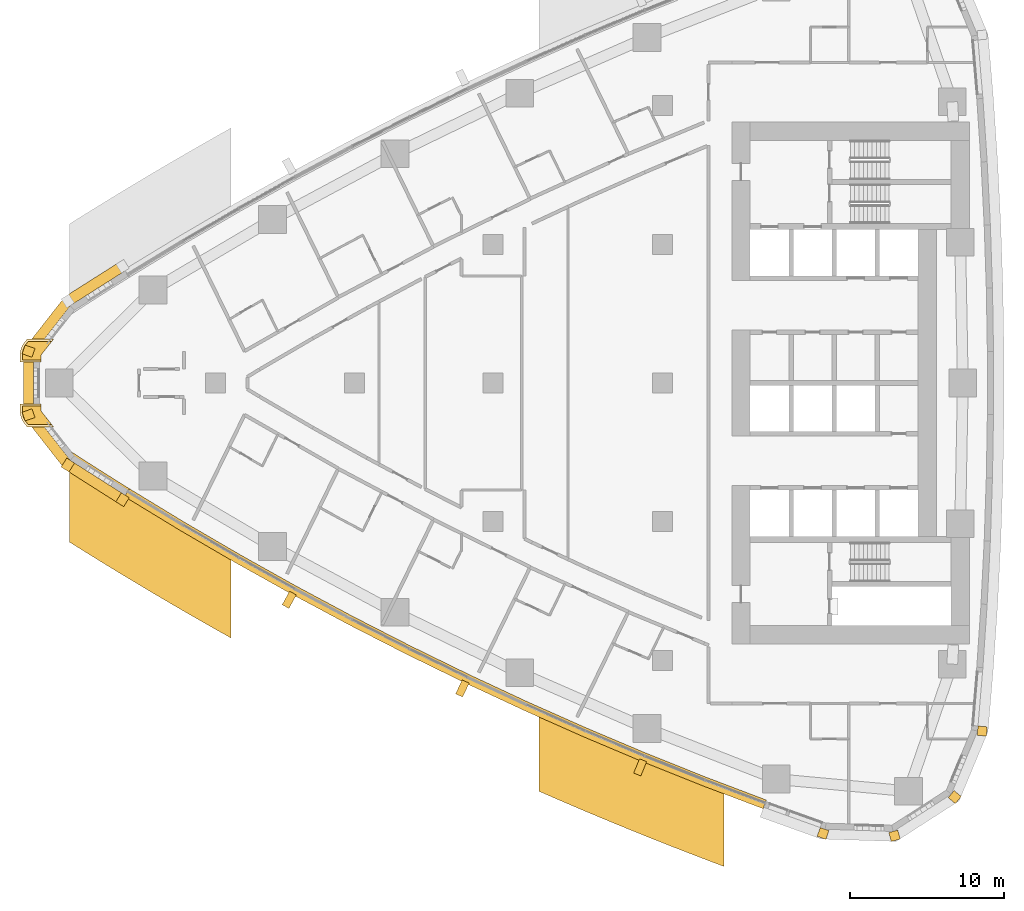
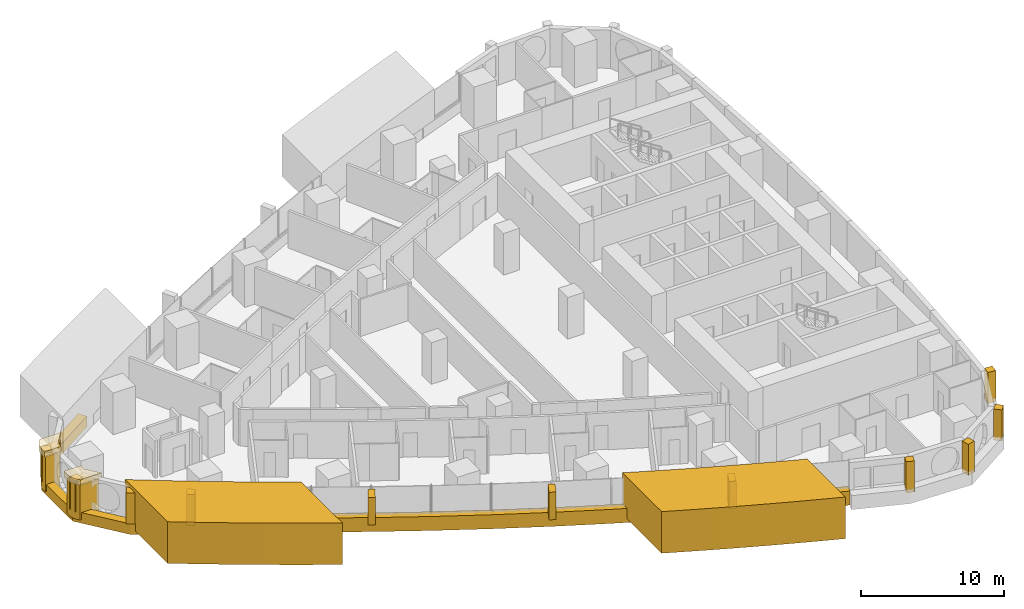
# One storey, part 15 of 19: 19 coverings.
"""IFC4 building model written with IfcOpenShell, lengths in metres."""

from ifc_helpers import new_model, si_unit, direction, frame, frame_2d, origin, place, context, subcontext, project, spatial, polyline, rectangle, outline, extrude, material, layer, layer_set, type_object, element, save


model = new_model("IFC4")

# Units and contexts
model_context = context("Model", 3, precision=1e-05, world=origin(), true_north=direction((0.0, 1.0)))
body_context = subcontext(model_context, "Body", "Model", "MODEL_VIEW")
ifc_project = project(units=[si_unit("LENGTHUNIT", "METRE"), si_unit("AREAUNIT", "SQUARE_METRE"), si_unit("VOLUMEUNIT", "CUBIC_METRE"), si_unit("PLANEANGLEUNIT", "RADIAN"), si_unit("MASSUNIT", "GRAM", prefix="KILO")], contexts=[model_context])

# Site, building, storey
site_placement = place(None, origin())
site = spatial("IfcSite", under=ifc_project, at=site_placement, CompositionType="ELEMENT")
building_placement = place(site_placement, origin())
building = spatial("IfcBuilding", under=site, at=building_placement, Name="Ostrand Prow Hotel Tower", CompositionType="ELEMENT")
storey_placement = place(building_placement, frame((0.0, 0.0, 71.550048828125)))
storey = spatial("IfcBuildingStorey", under=building, at=storey_placement, Name="L16", CompositionType="ELEMENT", Elevation=71.550048828125)

# Coverings
ifc_material_1 = material(Name="Bronze anodised aluminium cladding", Category="aluminium")
ifc_layer_1 = layer(ifc_material_1, 0.60009765625)
ifc_layer_set_1 = layer_set([ifc_layer_1], Name="Bronze anodised aluminium cladding")
covering_type_1 = type_object("IfcCoveringType", Name="Bronze prow band 899x600", PredefinedType="CLADDING", material=ifc_layer_set_1)
covering_1_placement = place(storey_placement, frame((0.0, 0.0, -0.300048828125)))
element("IfcCovering", 1, at=covering_1_placement, inside=storey, type_object=covering_type_1, Name="Bronze prow band", PredefinedType="CLADDING", context=body_context, shape_type="SweptSolid", body=[
    extrude(outline(polyline([(9.77734375, 7.864013671875), (6.2197265625, 5.6083984375), (3.53369140625, 2.178466796875), (3.53369140625, -2.178466796875), (6.2197265625, -5.6083984375), (9.77734375, -7.864013671875), (10.13623046875, -7.286376953125), (6.589111328125, -5.03759765625), (4.176513671875, -1.95654296875), (4.176513671875, 1.95654296875), (6.589111328125, 5.03759765625), (10.13623046875, 7.286376953125), (9.77734375, 7.864013671875)])), origin(), (0.0, 0.0, 1.0), 0.89990234375),
])
ifc_material_2 = material(Name="Bronze anodised aluminium cladding", Category="aluminium")
ifc_layer_2 = layer(ifc_material_2, 0.60009765625)
ifc_layer_set_2 = layer_set([ifc_layer_2], Name="Bronze anodised aluminium cladding")
covering_type_2 = type_object("IfcCoveringType", Name="Bronze spandrel band 1200x600", PredefinedType="CLADDING", material=ifc_layer_set_2)
covering_2_placement = place(storey_placement, frame((0.0, 0.0, -0.300048828125)))
element("IfcCovering", 2, at=covering_2_placement, inside=storey, type_object=covering_type_2, Name="Spandrel band S1", PredefinedType="CLADDING", context=body_context, shape_type="SweptSolid", body=[
    extrude(outline(polyline([(10.08349609375, -7.371337890625), (13.672607421875, -9.555419921875), (17.301513671875, -11.673095703125), (20.968994140625, -13.723876953125), (24.673095703125, -15.70654296875), (28.413330078125, -17.62060546875), (32.188232421875, -19.4658203125), (35.996337890625, -21.2412109375), (39.83642578125, -22.946044921875), (43.70751953125, -24.580078125), (47.607666015625, -26.142578125), (51.5361328125, -27.6328125), (51.743896484375, -27.070068359375), (47.82568359375, -25.58349609375), (43.935791015625, -24.025146484375), (40.074951171875, -22.3955078125), (36.244873046875, -20.695068359375), (32.44677734375, -18.92431640625), (28.681884765625, -17.083984375), (24.951416015625, -15.1748046875), (21.2568359375, -13.197509765625), (17.59912109375, -11.152099609375), (13.97998046875, -9.0400390625), (10.39990234375, -6.86181640625), (10.08349609375, -7.371337890625)])), origin(), (0.0, 0.0, 1.0), 1.199951171875),
])
ifc_material_3 = material(Name="Limestone cladding", Category="masonry")
ifc_layer_3 = layer(ifc_material_3, 5.0)
ifc_layer_set_3 = layer_set([ifc_layer_3], Name="Limestone cladding")
covering_type_3 = type_object("IfcCoveringType", Name="Portal jamb pilaster limestone", PredefinedType="CLADDING", material=ifc_layer_set_3)
covering_3_placement = place(storey_placement, origin())
element("IfcCovering", 3, at=covering_3_placement, inside=storey, type_object=covering_type_3, Name="Portal jamb SA L16", PredefinedType="CLADDING", context=body_context, shape_type="SweptSolid", body=[
    extrude(outline(polyline([(6.5, -4.3837890625), (6.5, -10.319580078125), (7.45458984375, -10.917724609375), (8.4091796875, -11.509521484375), (9.363525390625, -12.09521484375), (10.318115234375, -12.67431640625), (11.272705078125, -13.247314453125), (12.227294921875, -13.81396484375), (13.181884765625, -14.37451171875), (14.136474609375, -14.92919921875), (15.0908203125, -15.4775390625), (16.04541015625, -16.020263671875), (17.0, -16.556640625), (17.0, -10.80859375), (16.04541015625, -10.25634765625), (15.0908203125, -9.697998046875), (14.136474609375, -9.13330078125), (13.181884765625, -8.562255859375), (12.227294921875, -7.98486328125), (11.272705078125, -7.401123046875), (10.318115234375, -6.810791015625), (9.363525390625, -6.214111328125), (8.4091796875, -5.610595703125), (7.45458984375, -5.00048828125), (6.5, -4.3837890625)])), origin(), (0.0, 0.0, 1.0), 3.550048828125),
])
covering_4_placement = place(storey_placement, origin())
element("IfcCovering", 4, at=covering_4_placement, inside=storey, type_object=covering_type_3, Name="Portal jamb SB L16", PredefinedType="CLADDING", context=body_context, shape_type="SweptSolid", body=[
    extrude(outline(polyline([(37.0, -21.037109375), (37.0, -26.50927734375), (38.0, -26.945556640625), (39.0, -27.376220703125), (40.0, -27.801513671875), (41.0, -28.22119140625), (42.0, -28.635498046875), (43.0, -29.044189453125), (44.0, -29.447509765625), (45.0, -29.845703125), (46.0, -30.23828125), (47.0, -30.62548828125), (48.0, -31.0078125), (49.0, -31.384521484375), (49.0, -26.03759765625), (48.0, -25.6513671875), (47.0, -25.259765625), (46.0, -24.862548828125), (45.0, -24.459716796875), (44.0, -24.051513671875), (43.0, -23.637939453125), (42.0, -23.218505859375), (41.0, -22.793701171875), (40.0, -22.363037109375), (39.0, -21.9267578125), (38.0, -21.484619140625), (37.0, -21.037109375)])), origin(), (0.0, 0.0, 1.0), 3.550048828125),
])
ifc_material_4 = material(Name="Limestone cladding", Category="masonry")
ifc_layer_4 = layer(ifc_material_4, 0.5)
ifc_layer_set_4 = layer_set([ifc_layer_4], Name="Limestone cladding")
covering_type_4 = type_object("IfcCoveringType", Name="Precast stone fin 500x900", PredefinedType="CLADDING", material=ifc_layer_set_4)
for number, where, z_axis, x_axis, name in (
    (5, (21.016845703125, -13.635986328125, 0.89990234375), (0.0, 0.0, 1.0), (-0.480014960696, -0.877260302025, 0.0), "Stone fin S 4"),
    (6, (32.231201171875, -19.37548828125, 0.89990234375), (0.0, 0.0, 1.0), (-0.430634686673, -0.902526324621, 0.0), "Stone fin S 7"),
    (7, (43.74560546875, -24.487548828125, 0.89990234375), (0.0, 0.0, 1.0), (-0.380590179681, -0.924743810539, 0.0), "Stone fin S 10"),
):
    element("IfcCovering", number, at=place(storey_placement, frame(where, z_axis=z_axis, x_axis=x_axis)), inside=storey, type_object=covering_type_4, Name=name, PredefinedType="CLADDING", context=body_context, shape_type="SweptSolid", body=[
        extrude(rectangle(XDim=1.0, YDim=0.5, at=frame_2d((0.5, 0.0))), origin(), (0.0, 0.0, 1.0), 2.35009765625),
    ])
ifc_material_5 = material(Name="Limestone cladding", Category="masonry")
ifc_layer_5 = layer(ifc_material_5, 0.60009765625)
ifc_layer_set_5 = layer_set([ifc_layer_5], Name="Limestone cladding")
covering_type_5 = type_object("IfcCoveringType", Name="Precast stone prow rib 600x600", PredefinedType="CLADDING", material=ifc_layer_set_5)
for number, where, z_axis, x_axis, name in (
    (8, (4.176513671875, 1.95654296875, 0.599853515625), (0.0, 0.0, 1.0), (-0.945254650653, 0.326333641262, 0.0), "Stone prow rib 3"),
    (9, (4.176513671875, -1.95654296875, 0.599853515625), (0.0, 0.0, 1.0), (-0.945254650653, -0.326333641262, 0.0), "Stone prow rib 4"),
    (10, (6.589111328125, -5.03759765625, 0.599853515625), (0.0, 0.0, 1.0), (-0.543295944087, -0.839541253983, 0.0), "Stone prow rib 5"),
    (11, (10.13623046875, -7.286376953125, 0.599853515625), (0.0, 0.0, 1.0), (-0.527738148304, -0.849407114889, 0.0), "Stone prow rib 6"),
):
    element("IfcCovering", number, at=place(storey_placement, frame(where, z_axis=z_axis, x_axis=x_axis)), inside=storey, type_object=covering_type_5, Name=name, PredefinedType="CLADDING", context=body_context, shape_type="SweptSolid", body=[
        extrude(rectangle(XDim=0.679931640625, YDim=0.60009765625, at=frame_2d((0.33984375, 0.0))), origin(), (0.0, 0.0, 1.0), 2.650146484375),
    ])
for number, where, z_axis, x_axis, name in (
    (12, (55.524169921875, -28.956298828125, 0.599853515625), (0.0, 0.0, 1.0), (-0.328773122904, -0.94440893349, 0.0), "Stone corner rib 2a"),
    (13, (59.98681640625, -29.1025390625, 0.599853515625), (0.0, 0.0, 1.0), (0.266111535611, -0.963942244439, 0.0), "Stone corner rib 3a"),
    (14, (63.74169921875, -26.6865234375, 0.599853515625), (0.0, 0.0, 1.0), (0.766985844654, -0.641664019639, 0.0), "Stone corner rib 4a"),
    (15, (65.4580078125, -22.564453125, 0.599853515625), (0.0, 0.0, 1.0), (0.995724747837, -0.09237005221, 0.0), "Stone corner rib 4b"),
):
    element("IfcCovering", number, at=place(storey_placement, frame(where, z_axis=z_axis, x_axis=x_axis)), inside=storey, type_object=covering_type_5, Name=name, PredefinedType="CLADDING", context=body_context, shape_type="SweptSolid", body=[
        extrude(rectangle(XDim=0.60009765625, YDim=0.60009765625, at=frame_2d((0.300048828125, 0.0))), origin(), (0.0, 0.0, 1.0), 2.650146484375),
    ])
ifc_material_6 = material(Name="Limestone cladding", Category="masonry")
ifc_layer_6 = layer(ifc_material_6, 3.0)
ifc_layer_set_6 = layer_set([ifc_layer_6], Name="Limestone cladding")
covering_type_6 = type_object("IfcCoveringType", Name="Prow nose pier limestone", PredefinedType="CLADDING", material=ifc_layer_set_6)
covering_5_placement = place(storey_placement, frame((0.0, 0.0, 3.050048828125)))
element("IfcCovering", 16, at=covering_5_placement, inside=storey, type_object=covering_type_6, Name="Prow spine cap N L16", PredefinedType="CLADDING", context=body_context, shape_type="SweptSolid", body=[
    extrude(outline(polyline([(3.29931640625, 1.793701171875), (3.29931640625, 1.35009765625), (4.649169921875, 1.35009765625), (4.649169921875, 1.793701171875), (5.4765625, 2.85009765625), (3.76171875, 2.85009765625), (3.586181640625, 2.6259765625), (3.51220703125, 2.521484375), (3.4482421875, 2.410400390625), (3.395263671875, 2.2939453125), (3.353515625, 2.1728515625), (3.323486328125, 2.04833984375), (3.30517578125, 1.92138671875), (3.29931640625, 1.793701171875)])), origin(), (0.0, 0.0, 1.0), 0.5),
])
covering_6_placement = place(storey_placement, origin())
element("IfcCovering", 17, at=covering_6_placement, inside=storey, type_object=covering_type_6, Name="Prow spine fin N L16", PredefinedType="CLADDING", context=body_context, shape_type="SweptSolid", body=[
    extrude(outline(polyline([(3.44921875, 1.793701171875), (3.44921875, 1.5), (4.649169921875, 1.5), (4.649169921875, 1.793701171875), (5.35888671875, 2.699951171875), (3.834716796875, 2.699951171875), (3.704345703125, 2.533447265625), (3.638427734375, 2.440673828125), (3.581787109375, 2.341796875), (3.53466796875, 2.23828125), (3.49755859375, 2.130615234375), (3.470703125, 2.02001953125), (3.45458984375, 1.9072265625), (3.44921875, 1.793701171875)])), origin(), (0.0, 0.0, 1.0), 3.050048828125),
])
covering_7_placement = place(storey_placement, frame((0.0, 0.0, 3.050048828125)))
element("IfcCovering", 18, at=covering_7_placement, inside=storey, type_object=covering_type_6, Name="Prow spine cap S L16", PredefinedType="CLADDING", context=body_context, shape_type="SweptSolid", body=[
    extrude(outline(polyline([(3.586181640625, -2.6259765625), (3.76171875, -2.85009765625), (5.4765625, -2.85009765625), (4.649169921875, -1.793701171875), (4.649169921875, -1.35009765625), (3.29931640625, -1.35009765625), (3.29931640625, -1.793701171875), (3.30517578125, -1.92138671875), (3.323486328125, -2.04833984375), (3.353515625, -2.1728515625), (3.395263671875, -2.2939453125), (3.4482421875, -2.410400390625), (3.51220703125, -2.521484375), (3.586181640625, -2.6259765625)])), origin(), (0.0, 0.0, 1.0), 0.5),
])
covering_8_placement = place(storey_placement, origin())
element("IfcCovering", 19, at=covering_8_placement, inside=storey, type_object=covering_type_6, Name="Prow spine fin S L16", PredefinedType="CLADDING", context=body_context, shape_type="SweptSolid", body=[
    extrude(outline(polyline([(3.704345703125, -2.533447265625), (3.834716796875, -2.699951171875), (5.35888671875, -2.699951171875), (4.649169921875, -1.793701171875), (4.649169921875, -1.5), (3.44921875, -1.5), (3.44921875, -1.793701171875), (3.45458984375, -1.9072265625), (3.470703125, -2.02001953125), (3.49755859375, -2.130615234375), (3.53466796875, -2.23828125), (3.581787109375, -2.341796875), (3.638427734375, -2.440673828125), (3.704345703125, -2.533447265625)])), origin(), (0.0, 0.0, 1.0), 3.050048828125),
])

save(model, "model.ifc")
